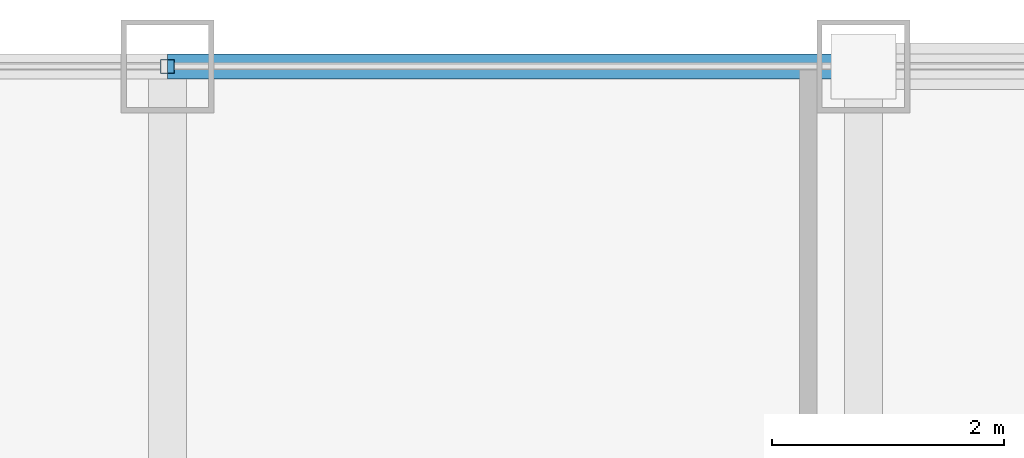
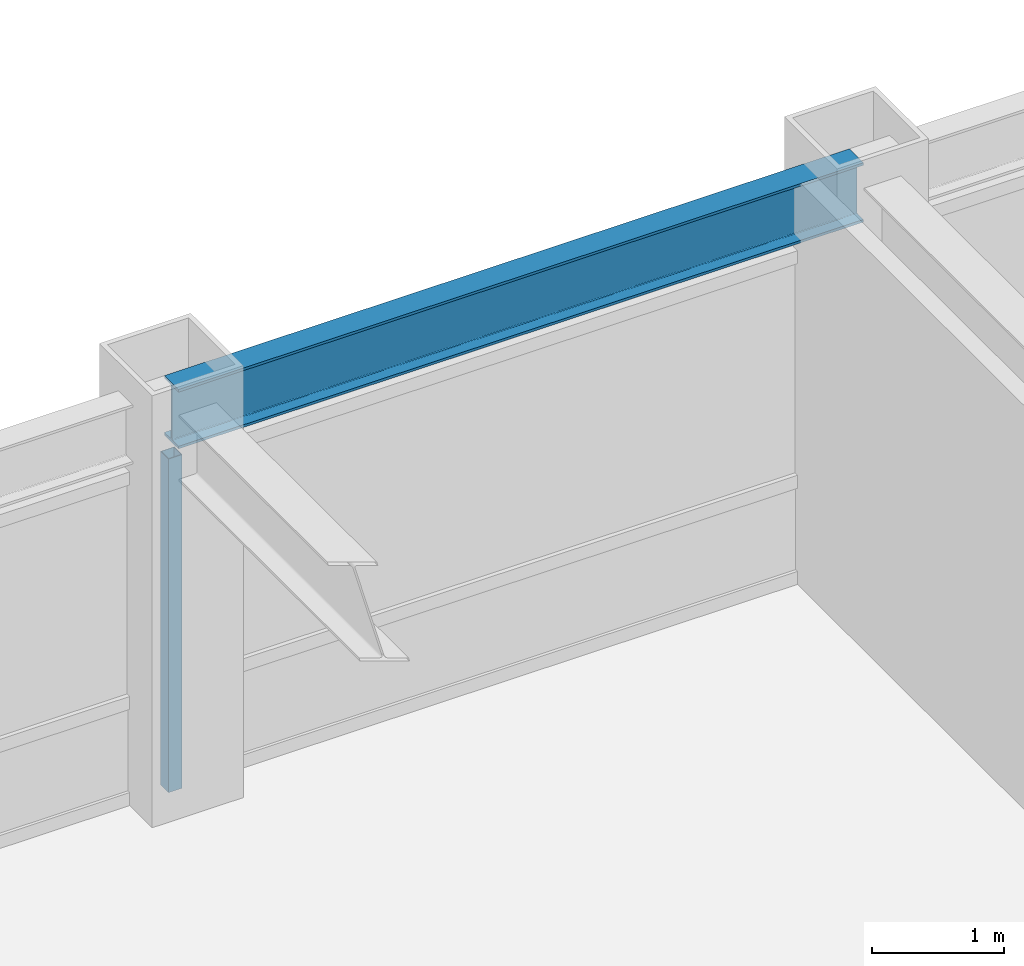
# One storey, part 18 of 28: 1 beam, 1 member, 1 element without a shape of its own.
"""IFC4 building model written with IfcOpenShell, lengths in metres."""

import ifcopenshell
import ifcopenshell.guid

model = None  # the IFC model being written
_history = None  # IfcOwnerHistory: only IFC2X3 demands one
_inside = {}  # id of a spatial element -> (the spatial element, [elements in it])
_under = {}  # id of a project, library or spatial element -> (it, [spatial elements below it])
_declared = {}  # id of a project -> (the project, [libraries it declares])
_typed = {}  # id of a type object -> (the type object, [elements of that type])
_made_of = {}  # id of a material, layer set ... -> (it, [elements and type objects made of it])


def new_model(schema):
    """Start an empty IFC model of exactly this schema.

    Asked for "IFC4X3", IfcOpenShell would pick the latest addendum, in which some entities
    have other attributes; the version numbers below select the first issue.
    IFC2X3 requires an IfcOwnerHistory on every rooted entity: one is made here for all.
    """
    global model, _history
    if schema == "IFC4X3":
        model = ifcopenshell.file(schema_version=(4, 3, 0, 0))
    else:
        model = ifcopenshell.file(schema=schema)
    _inside.clear()
    _under.clear()
    _declared.clear()
    _typed.clear()
    _made_of.clear()
    _history = None
    if model.schema == "IFC2X3":
        org = make("IfcOrganization", Name="unknown")
        user = make(
            "IfcPersonAndOrganization",
            ThePerson=make("IfcPerson", FamilyName="unknown"),
            TheOrganization=org,
        )
        app = make(
            "IfcApplication",
            ApplicationDeveloper=org,
            Version="unknown",
            ApplicationFullName="unknown",
            ApplicationIdentifier="unknown",
        )
        _history = make(
            "IfcOwnerHistory",
            OwningUser=user,
            OwningApplication=app,
            ChangeAction="ADDED",
            CreationDate=0,
        )
    return model


def make(cls, **values):
    """One entity of the class cls with the attributes given. An attribute that is None is left unset."""
    return model.create_entity(
        cls, **{name: value for name, value in values.items() if value is not None}
    )


def rooted(cls, **values):
    """An entity with a GlobalId (a new one), such as an element, a storey or a relation."""
    return make(cls, GlobalId=ifcopenshell.guid.new(), OwnerHistory=_history, **values)


def si_unit(unit_type, name, prefix=None):
    """IfcSIUnit, for example si_unit("LENGTHUNIT", "METRE", prefix="MILLI")."""
    return make("IfcSIUnit", UnitType=unit_type, Prefix=prefix, Name=name)


def assignment(units):
    """IfcUnitAssignment: the units of a project."""
    return None if units is None else make("IfcUnitAssignment", Units=units)


def point(xyz):
    """IfcCartesianPoint."""
    return None if xyz is None else make("IfcCartesianPoint", Coordinates=xyz)


def direction(xyz):
    """IfcDirection."""
    return None if xyz is None else make("IfcDirection", DirectionRatios=xyz)


def frame(location, z_axis=None, x_axis=None):
    """IfcAxis2Placement3D, a coordinate frame: its origin and axes. An axis left out is left unset."""
    return make(
        "IfcAxis2Placement3D",
        Location=point(location),
        Axis=direction(z_axis),
        RefDirection=direction(x_axis),
    )


def frame_2d(location, x_axis=None):
    """IfcAxis2Placement2D, a coordinate frame in the plane: its origin and x axis."""
    return make(
        "IfcAxis2Placement2D", Location=point(location), RefDirection=direction(x_axis)
    )


def origin():
    """The frame at (0, 0, 0) with its axes left unset."""
    return frame((0.0, 0.0, 0.0))


def origin_2d():
    """The frame at (0, 0) in the plane with its x axis left unset."""
    return frame_2d((0.0, 0.0))


def place(relative_to, where):
    """IfcLocalPlacement: puts the frame where relative to a parent placement (None: the world)."""
    return make(
        "IfcLocalPlacement", PlacementRelTo=relative_to, RelativePlacement=where
    )


def context(
    kind, dimensions, precision=None, world=None, true_north=None, identifier=None
):
    """IfcGeometricRepresentationContext, for example the 3D "Model" context."""
    return make(
        "IfcGeometricRepresentationContext",
        ContextIdentifier=identifier,
        ContextType=kind,
        CoordinateSpaceDimension=dimensions,
        Precision=precision,
        WorldCoordinateSystem=world,
        TrueNorth=true_north,
    )


def subcontext(parent, identifier, kind, view, scale=None):
    """IfcGeometricRepresentationSubContext, for example "Body" below "Model"."""
    return make(
        "IfcGeometricRepresentationSubContext",
        ContextIdentifier=identifier,
        ContextType=kind,
        ParentContext=parent,
        TargetScale=scale,
        TargetView=view,
    )


def project(units=None, contexts=None):
    """IfcProject with its units and contexts."""
    return rooted(
        "IfcProject",
        Name="project",
        RepresentationContexts=contexts,
        UnitsInContext=assignment(units),
    )


def spatial(cls, under=None, at=None, **own):
    """A site, building, storey or space (cls), placed at a placement, below another one or the project."""
    s = rooted(cls, ObjectPlacement=at, **own)
    if under is not None:
        _under.setdefault(under.id(), (under, []))[1].append(s)
    return s


def profile(cls, at=None, kind="AREA", **sizes):
    """A parametric profile (cls). Its sizes go by their IFC names, for example OverallWidth=200.0."""
    return make(cls, ProfileType=kind, Position=at, **sizes)


def hollow_rectangle(**sizes):
    """IfcRectangleHollowProfileDef."""
    return profile("IfcRectangleHollowProfileDef", **sizes)


def i_section(**sizes):
    """IfcIShapeProfileDef."""
    return profile("IfcIShapeProfileDef", **sizes)


def extrude(swept, where, along, depth):
    """IfcExtrudedAreaSolid: the profile swept, set in the frame where, extruded along a direction by depth."""
    return make(
        "IfcExtrudedAreaSolid",
        SweptArea=swept,
        Position=where,
        ExtrudedDirection=direction(along),
        Depth=depth,
    )


def shape(context_of_items, identifier, shape_type, items):
    """IfcShapeRepresentation: the items that make up one representation, for example the "Body"."""
    return make(
        "IfcShapeRepresentation",
        ContextOfItems=context_of_items,
        RepresentationIdentifier=identifier,
        RepresentationType=shape_type,
        Items=items,
    )


def source(mapping_origin, context_of_items, identifier, shape_type, items):
    """IfcRepresentationMap: a shape defined once, which mapped items show again and again."""
    return make(
        "IfcRepresentationMap",
        MappingOrigin=mapping_origin,
        MappedRepresentation=shape(context_of_items, identifier, shape_type, items),
    )


def transform(
    local_origin,
    x_axis=None,
    y_axis=None,
    z_axis=None,
    scale=None,
    scale2=None,
    scale3=None,
    uniform=True,
):
    """IfcCartesianTransformationOperator3D, or its non-uniform kind. x_axis, y_axis, z_axis: its Axis1, 2, 3."""
    if uniform:
        return make(
            "IfcCartesianTransformationOperator3D",
            Axis1=direction(x_axis),
            Axis2=direction(y_axis),
            LocalOrigin=point(local_origin),
            Scale=scale,
            Axis3=direction(z_axis),
        )
    return make(
        "IfcCartesianTransformationOperator3DnonUniform",
        Axis1=direction(x_axis),
        Axis2=direction(y_axis),
        LocalOrigin=point(local_origin),
        Scale=scale,
        Axis3=direction(z_axis),
        Scale2=scale2,
        Scale3=scale3,
    )


def mapped(mapping_source, mapping_target):
    """IfcMappedItem: shows the shape of a source again, moved by a transform."""
    return make(
        "IfcMappedItem", MappingSource=mapping_source, MappingTarget=mapping_target
    )


def material(Name=None, Category=None):
    """IfcMaterial."""
    return make("IfcMaterial", Name=Name, Category=Category)


def material_profile(
    of_material, cross_section, Name=None, Category=None, Priority=None
):
    """IfcMaterialProfile: a cross section and its material."""
    return make(
        "IfcMaterialProfile",
        Name=Name,
        Material=of_material,
        Profile=cross_section,
        Priority=Priority,
        Category=Category,
    )


def profile_set(profiles, Name=None, composite=None):
    """IfcMaterialProfileSet."""
    return make(
        "IfcMaterialProfileSet",
        Name=Name,
        MaterialProfiles=profiles,
        CompositeProfile=composite,
    )


def made_of(thing, what):
    """Note that an element or type object is made of a material, layer set ...; save() writes the relation."""
    if what is not None:
        _made_of.setdefault(what.id(), (what, []))[1].append(thing)
    return thing


def type_object(cls, material=None, **own):
    """A type object (cls), such as IfcWallType, which elements share."""
    return made_of(rooted(cls, **own), material)


def element(
    cls,
    number,
    at=None,
    inside=None,
    cuts=None,
    type_object=None,
    material=None,
    context=None,
    identifier="Body",
    shape_type=None,
    held_by="IfcProductDefinitionShape",
    body=None,
    shapes=None,
    **own,
):
    """One element of the class cls, such as IfcWall. Its Tag is "e" and its number.

    at: its placement. inside: the storey or other place that contains it. cuts: it is an
    opening in that element (IfcRelVoidsElement). A single representation is given by context,
    identifier, shape_type and body (its items); several are given by shapes. held_by: the class
    of the entity that holds the representations. save() writes the other relations.
    """
    e = rooted(cls, Tag="e%d" % number, ObjectPlacement=at, **own)
    if body is not None:
        shapes = [shape(context, identifier, shape_type, body)]
    if shapes is not None:
        e.Representation = make(held_by, Representations=shapes)
    if inside is not None:
        _inside.setdefault(inside.id(), (inside, []))[1].append(e)
    if cuts is not None:
        rooted(
            "IfcRelVoidsElement", RelatingBuildingElement=cuts, RelatedOpeningElement=e
        )
    if type_object is not None:
        _typed.setdefault(type_object.id(), (type_object, []))[1].append(e)
    return made_of(e, material)


def aggregate(whole, parts):
    """IfcRelAggregates: a whole, such as a stair, and the parts it consists of."""
    return rooted("IfcRelAggregates", RelatingObject=whole, RelatedObjects=parts)


def save(model, path):
    """Write the relations noted so far, then the file.

    IfcRelAggregates (storeys below a building ...), IfcRelContainedInSpatialStructure (elements
    in a storey), IfcRelDefinesByType, IfcRelAssociatesMaterial and IfcRelDeclares: one each for
    every whole, place, type object, material and project.
    """
    for whole, parts in _under.values():
        aggregate(whole, parts)
    for where, things in _inside.values():
        rooted(
            "IfcRelContainedInSpatialStructure",
            RelatedElements=things,
            RelatingStructure=where,
        )
    for kind, things in _typed.values():
        rooted("IfcRelDefinesByType", RelatedObjects=things, RelatingType=kind)
    for what, things in _made_of.values():
        rooted("IfcRelAssociatesMaterial", RelatedObjects=things, RelatingMaterial=what)
    for by, libraries in _declared.values():
        rooted("IfcRelDeclares", RelatingContext=by, RelatedDefinitions=libraries)
    model.write(path)


model = new_model("IFC4")

# Units and contexts
model_context = context("Model", 3, precision=1e-05, world=origin(), true_north=direction((0.0, 1.0)))
body_context = subcontext(model_context, "Body", "Model", "MODEL_VIEW")
ifc_project = project(units=[si_unit("LENGTHUNIT", "METRE"), si_unit("AREAUNIT", "SQUARE_METRE"), si_unit("VOLUMEUNIT", "CUBIC_METRE"), si_unit("PLANEANGLEUNIT", "RADIAN"), si_unit("MASSUNIT", "GRAM", prefix="KILO")], contexts=[model_context])

# Site, building, storey
site_placement = place(None, origin())
site = spatial("IfcSite", under=ifc_project, at=site_placement, CompositionType="ELEMENT")
building_placement = place(site_placement, origin())
building = spatial("IfcBuilding", under=site, at=building_placement, Name="Khorayat Bourse Tower", CompositionType="ELEMENT")
storey_placement = place(building_placement, frame((0.0, 0.0, 334.300048828125)))
storey = spatial("IfcBuildingStorey", under=building, at=storey_placement, Name="L79", CompositionType="ELEMENT", Elevation=334.300048828125)

# Beam
ifc_material_1 = material(Name="Steel ASTM A992 Grade 50", Category="steel")
ifc_material_profile_1 = material_profile(ifc_material_1, i_section(OverallWidth=0.214111328125, OverallDepth=0.549072265625, WebThickness=0.0146484375, FlangeThickness=0.023681640625, FilletRadius=0.013916015625, at=origin_2d()), Name="W530X138")
ifc_profile_set_1 = profile_set([ifc_material_profile_1], Name="Steel ASTM A992 Grade 50")
beam_type = type_object("IfcBeamType", Name="BM-SPAN-530", PredefinedType="SPANDREL", material=ifc_profile_set_1)
shared_shape_1 = source(origin(), body_context, "Body", "SweptSolid", [
    extrude(i_section(OverallWidth=0.214111328125, OverallDepth=0.549072265625, WebThickness=0.0146484375, FlangeThickness=0.023681640625, FilletRadius=0.013916015625, at=origin_2d()), origin(), (0.0, 0.0, 1.0), 6.0),
])
beam_placement = place(storey_placement, frame((0.0, 26.0, 3.46533203125), z_axis=(1.0, 0.0, 0.0), x_axis=(0.0, 1.0, 0.0)))
element("IfcBeam", 1, at=beam_placement, inside=storey, type_object=beam_type, Name="L79 BM-SPAN-530 BM-L79-SPN-042", PredefinedType="SPANDREL", context=body_context, shape_type="MappedRepresentation", body=[
    mapped(shared_shape_1, transform((0.0, 0.0, 0.0), scale=1.0)),
])

# Curtain wall, member
ifc_material_2 = material(Name="Aluminium EN AW-6063 T6", Category="aluminium")
curtain_wall_type = type_object("IfcCurtainWallType", Name="CW-SYS-04", PredefinedType="NOTDEFINED", material=ifc_material_2)
curtain_wall_placement = place(storey_placement, origin())
curtain_wall = element("IfcCurtainWall", 2, at=curtain_wall_placement, inside=storey, type_object=curtain_wall_type, Name="L79 Curtain Wall CW-L79-N1", PredefinedType="NOTDEFINED")
ifc_material_profile_2 = material_profile(ifc_material_2, hollow_rectangle(XDim=0.1201171875, YDim=0.1201171875, WallThickness=0.0048828125, at=origin_2d()), Name="ALU 120x120x5")
ifc_profile_set_2 = profile_set([ifc_material_profile_2], Name="Aluminium EN AW-6063 T6")
member_type = type_object("IfcMemberType", Name="CWM-VERT-120", PredefinedType="MULLION", material=ifc_profile_set_2)
shared_shape_2 = source(origin(), body_context, "Body", "SweptSolid", [
    extrude(hollow_rectangle(XDim=0.1201171875, YDim=0.1201171875, WallThickness=0.0048828125, at=origin_2d()), origin(), (0.0, 0.0, 1.0), 3.08984375),
])
member_placement = place(storey_placement, frame((0.0, 26.0, 0.0), z_axis=(0.0, 0.0, 1.0), x_axis=(0.0, 1.0, 0.0)))
member = element("IfcMember", 3, at=member_placement, type_object=member_type, Name="CW-L79-N1 Vertical Mullion 2", PredefinedType="MULLION", context=body_context, shape_type="MappedRepresentation", body=[
    mapped(shared_shape_2, transform((0.0, 0.0, 0.0), scale=1.0)),
])
aggregate(curtain_wall, [member])

save(model, "model.ifc")
